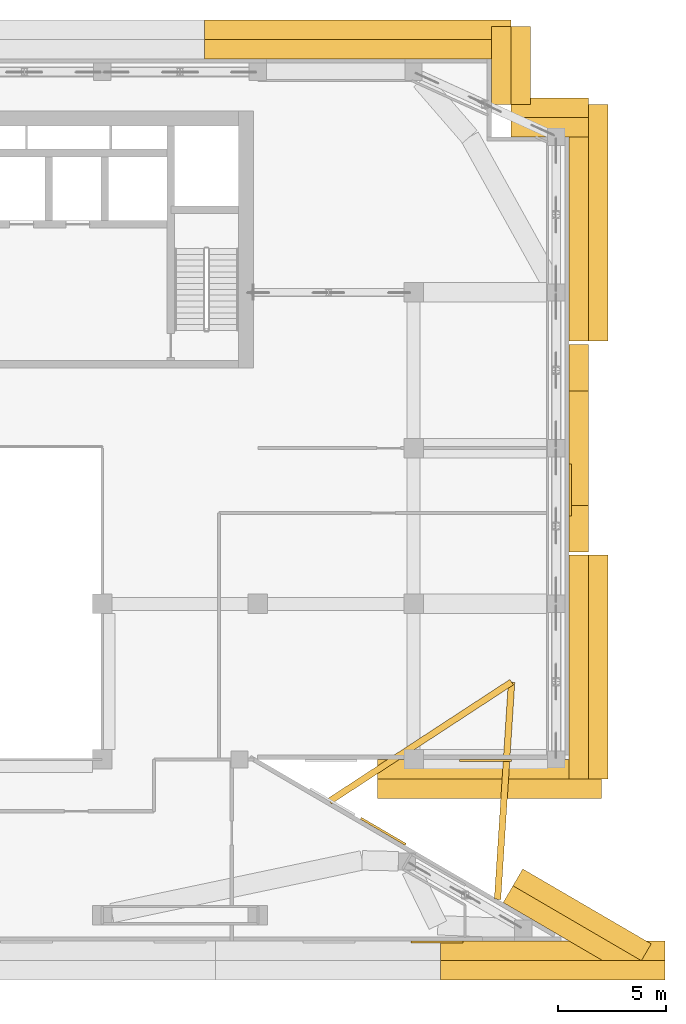
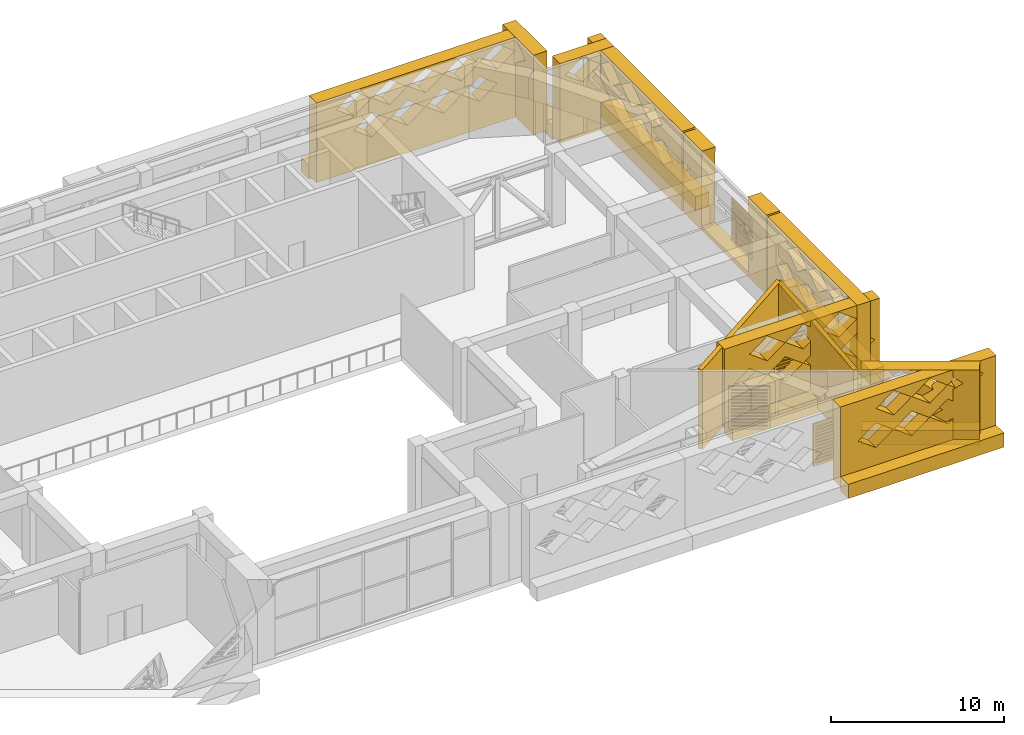
# One storey, part 20 of 20: 23 coverings.
"""IFC4 building model written with IfcOpenShell, lengths in metres."""

from ifc_helpers import new_model, si_unit, direction, frame, origin, place, context, subcontext, project, spatial, polyline, outline, extrude, material, layer, layer_set, type_object, element, save


model = new_model("IFC4")

# Units and contexts
model_context = context("Model", 3, precision=1e-05, world=origin(), true_north=direction((0.0, 1.0)))
body_context = subcontext(model_context, "Body", "Model", "MODEL_VIEW")
ifc_project = project(units=[si_unit("LENGTHUNIT", "METRE"), si_unit("AREAUNIT", "SQUARE_METRE"), si_unit("VOLUMEUNIT", "CUBIC_METRE"), si_unit("PLANEANGLEUNIT", "RADIAN"), si_unit("MASSUNIT", "GRAM", prefix="KILO")], contexts=[model_context])

# Site, building, storey
site_placement = place(None, origin())
site = spatial("IfcSite", under=ifc_project, at=site_placement, CompositionType="ELEMENT")
building_placement = place(site_placement, origin())
building = spatial("IfcBuilding", under=site, at=building_placement, Name="Saffron Iwan Residences", CompositionType="ELEMENT")
storey_placement = place(building_placement, frame((0.0, 0.0, 206.0)))
storey = spatial("IfcBuildingStorey", under=building, at=storey_placement, Name="L55", CompositionType="ELEMENT", Elevation=206.0)

# Coverings
ifc_material_1 = material(Name="Precast concrete C40/50 white painted", Category="concrete")
covering_type_1 = type_object("IfcCoveringType", Name="IWAN PANEL PRECAST WHITE", PredefinedType="CLADDING", material=ifc_material_1)
covering_1_placement = place(storey_placement, frame((86.39990234375, 57.60009765625, -0.39990234375), z_axis=(1.0, 0.0, 0.0), x_axis=(0.0, 1.0, 0.0)))
element("IfcCovering", 1, at=covering_1_placement, inside=storey, type_object=covering_type_1, Name="Iwan panel L55 F2.0", PredefinedType="CLADDING", context=body_context, shape_type="SweptSolid", body=[
    extrude(outline(polyline([(9.60009765625, 5.6201171875), (9.60009765625, 0.0), (0.0, 0.0), (0.0, 5.6201171875), (2.150390625, 5.6201171875), (2.12841796875, 5.434814453125), (2.10009765625, 4.71240234375), (2.10009765625, 0.300048828125), (7.5, 0.300048828125), (7.5, 4.71240234375), (7.4716796875, 5.434814453125), (7.44970703125, 5.6201171875), (9.60009765625, 5.6201171875)])), origin(), (0.0, 0.0, 1.0), 0.900146484375),
])
ifc_material_2 = material(Name="Precast concrete C40/50", Category="concrete")
covering_type_2 = type_object("IfcCoveringType", Name="OUTER SKIN LATTICE SCREEN", PredefinedType="CLADDING", material=ifc_material_2)
covering_2_placement = place(storey_placement, frame((89.283935546875, 37.917724609375, -0.39990234375), z_axis=(0.503803550485, 0.863818257806, 0.0), x_axis=(-0.863818257806, 0.503803550485, 0.0)))
element("IfcCovering", 2, at=covering_2_placement, inside=storey, type_object=covering_type_2, Name="OUTER SKIN lattice screen L55 F0.0", PredefinedType="CLADDING", context=body_context, shape_type="SweptSolid", body=[
    extrude(outline(polyline([(0.0, 0.0), (6.874267578125, 0.0), (6.874267578125, 5.6201171875), (0.0, 5.6201171875), (0.0, 0.0)]), holes=[polyline([(2.15869140625, 2.81005859375), (3.338623046875, 1.933349609375), (4.518798828125, 2.81005859375), (3.338623046875, 3.686767578125), (2.15869140625, 2.81005859375)]), polyline([(0.958740234375, 4.683349609375), (2.138671875, 3.806640625), (3.318603515625, 4.683349609375), (2.138671875, 5.56005859375), (0.958740234375, 4.683349609375)]), polyline([(3.358642578125, 4.683349609375), (4.538818359375, 3.806640625), (5.71875, 4.683349609375), (4.538818359375, 5.56005859375), (3.358642578125, 4.683349609375)])]), origin(), (0.0, 0.0, 1.0), 0.89990234375),
])
covering_3_placement = place(storey_placement, frame((77.538818359375, 48.0, -0.39990234375), z_axis=(0.0, -1.0, 0.0), x_axis=(1.0, 0.0, 0.0)))
element("IfcCovering", 3, at=covering_3_placement, inside=storey, type_object=covering_type_2, Name="OUTER SKIN lattice screen L55 F1.0", PredefinedType="CLADDING", context=body_context, shape_type="SweptSolid", body=[
    extrude(outline(polyline([(0.0, 0.0), (10.361328125, 0.0), (10.361328125, 5.6201171875), (0.0, 5.6201171875), (0.0, 0.0)]), holes=[polyline([(0.481201171875, 2.81005859375), (1.661376953125, 1.933349609375), (2.84130859375, 2.81005859375), (1.661376953125, 3.686767578125), (0.481201171875, 2.81005859375)]), polyline([(2.88134765625, 2.81005859375), (4.061279296875, 1.933349609375), (5.2412109375, 2.81005859375), (4.061279296875, 3.686767578125), (2.88134765625, 2.81005859375)]), polyline([(5.28125, 2.81005859375), (6.461181640625, 1.933349609375), (7.641357421875, 2.81005859375), (6.461181640625, 3.686767578125), (5.28125, 2.81005859375)]), polyline([(7.681396484375, 2.81005859375), (8.861328125, 1.933349609375), (10.041259765625, 2.81005859375), (8.861328125, 3.686767578125), (7.681396484375, 2.81005859375)]), polyline([(1.681396484375, 4.683349609375), (2.861328125, 3.806640625), (4.041259765625, 4.683349609375), (2.861328125, 5.56005859375), (1.681396484375, 4.683349609375)]), polyline([(4.081298828125, 4.683349609375), (5.26123046875, 3.806640625), (6.44140625, 4.683349609375), (5.26123046875, 5.56005859375), (4.081298828125, 4.683349609375)]), polyline([(6.481201171875, 4.683349609375), (7.661376953125, 3.806640625), (8.84130859375, 4.683349609375), (7.661376953125, 5.56005859375), (6.481201171875, 4.683349609375)])]), origin(), (0.0, 0.0, 1.0), 0.89990234375),
])
covering_4_placement = place(storey_placement, frame((86.39990234375, 47.10009765625, -0.39990234375), z_axis=(1.0, 0.0, 0.0), x_axis=(0.0, 1.0, 0.0)))
element("IfcCovering", 4, at=covering_4_placement, inside=storey, type_object=covering_type_2, Name="OUTER SKIN lattice screen L55 F2.0", PredefinedType="CLADDING", context=body_context, shape_type="SweptSolid", body=[
    extrude(outline(polyline([(0.0, 0.0), (10.35009765625, 0.0), (10.35009765625, 5.6201171875), (0.0, 5.6201171875), (0.0, 0.0)]), holes=[polyline([(2.1201171875, 2.81005859375), (3.300048828125, 1.933349609375), (4.47998046875, 2.81005859375), (3.300048828125, 3.686767578125), (2.1201171875, 2.81005859375)]), polyline([(4.52001953125, 2.81005859375), (5.699951171875, 1.933349609375), (6.8798828125, 2.81005859375), (5.699951171875, 3.686767578125), (4.52001953125, 2.81005859375)]), polyline([(6.919921875, 2.81005859375), (8.10009765625, 1.933349609375), (9.280029296875, 2.81005859375), (8.10009765625, 3.686767578125), (6.919921875, 2.81005859375)]), polyline([(0.919921875, 4.683349609375), (2.10009765625, 3.806640625), (3.280029296875, 4.683349609375), (2.10009765625, 5.56005859375), (0.919921875, 4.683349609375)]), polyline([(3.320068359375, 4.683349609375), (4.5, 3.806640625), (5.679931640625, 4.683349609375), (4.5, 5.56005859375), (3.320068359375, 4.683349609375)]), polyline([(5.719970703125, 4.683349609375), (6.89990234375, 3.806640625), (8.080078125, 4.683349609375), (6.89990234375, 5.56005859375), (5.719970703125, 4.683349609375)])]), origin(), (0.0, 0.0, 1.0), 0.900146484375),
])
covering_5_placement = place(storey_placement, frame((86.39990234375, 67.35009765625, -0.39990234375), z_axis=(1.0, 0.0, 0.0), x_axis=(0.0, 1.0, 0.0)))
element("IfcCovering", 5, at=covering_5_placement, inside=storey, type_object=covering_type_2, Name="OUTER SKIN lattice screen L55 F2.1", PredefinedType="CLADDING", context=body_context, shape_type="SweptSolid", body=[
    extrude(outline(polyline([(0.0, 0.0), (10.949951171875, 0.0), (10.949951171875, 5.6201171875), (0.0, 5.6201171875), (0.0, 0.0)]), holes=[polyline([(1.070068359375, 2.81005859375), (2.25, 1.933349609375), (3.429931640625, 2.81005859375), (2.25, 3.686767578125), (1.070068359375, 2.81005859375)]), polyline([(3.469970703125, 2.81005859375), (4.64990234375, 1.933349609375), (5.830078125, 2.81005859375), (4.64990234375, 3.686767578125), (3.469970703125, 2.81005859375)]), polyline([(5.8701171875, 2.81005859375), (7.050048828125, 1.933349609375), (8.22998046875, 2.81005859375), (7.050048828125, 3.686767578125), (5.8701171875, 2.81005859375)]), polyline([(8.27001953125, 2.81005859375), (9.449951171875, 1.933349609375), (10.6298828125, 2.81005859375), (9.449951171875, 3.686767578125), (8.27001953125, 2.81005859375)]), polyline([(2.27001953125, 4.683349609375), (3.449951171875, 3.806640625), (4.6298828125, 4.683349609375), (3.449951171875, 5.56005859375), (2.27001953125, 4.683349609375)]), polyline([(4.669921875, 4.683349609375), (5.85009765625, 3.806640625), (7.030029296875, 4.683349609375), (5.85009765625, 5.56005859375), (4.669921875, 4.683349609375)]), polyline([(7.070068359375, 4.683349609375), (8.25, 3.806640625), (9.429931640625, 4.683349609375), (8.25, 5.56005859375), (7.070068359375, 4.683349609375)])]), origin(), (0.0, 0.0, 1.0), 0.900146484375),
])
for number, where, z_axis, x_axis, name in (
    (6, (87.300048828125, 76.800048828125, -0.39990234375), (0.0, 1.0, 0.0), (-1.0, 0.0, 0.0), "OUTER SKIN lattice screen L55 F3.0"),
    (7, (82.800048828125, 78.300048828125, -0.39990234375), (1.0, 0.0, 0.0), (0.0, 1.0, 0.0), "OUTER SKIN lattice screen L55 F4.0"),
):
    element("IfcCovering", number, at=place(storey_placement, frame(where, z_axis=z_axis, x_axis=x_axis)), inside=storey, type_object=covering_type_2, Name=name, PredefinedType="CLADDING", context=body_context, shape_type="SweptSolid", body=[
        extrude(outline(polyline([(0.0, 0.0), (3.60009765625, 0.0), (3.60009765625, 5.6201171875), (0.0, 5.6201171875), (0.0, 0.0)]), holes=[polyline([(0.919921875, 4.683349609375), (2.10009765625, 3.806640625), (3.280029296875, 4.683349609375), (2.10009765625, 5.56005859375), (0.919921875, 4.683349609375)])]), origin(), (0.0, 0.0, 1.0), 0.89990234375),
    ])
covering_6_placement = place(storey_placement, frame((83.699951171875, 80.39990234375, -0.39990234375), z_axis=(0.0, 1.0, 0.0), x_axis=(-1.0, 0.0, 0.0)))
element("IfcCovering", 8, at=covering_6_placement, inside=storey, type_object=covering_type_2, Name="OUTER SKIN lattice screen L55 F5.0", PredefinedType="CLADDING", context=body_context, shape_type="SweptSolid", body=[
    extrude(outline(polyline([(0.0, 0.0), (14.175048828125, 0.0), (14.175048828125, 5.6201171875), (0.0, 5.6201171875), (0.0, 0.0)]), holes=[polyline([(2.1201171875, 2.81005859375), (3.300048828125, 1.933349609375), (4.47998046875, 2.81005859375), (3.300048828125, 3.686767578125), (2.1201171875, 2.81005859375)]), polyline([(4.52001953125, 2.81005859375), (5.699951171875, 1.933349609375), (6.8798828125, 2.81005859375), (5.699951171875, 3.686767578125), (4.52001953125, 2.81005859375)]), polyline([(6.919921875, 2.81005859375), (8.10009765625, 1.933349609375), (9.280029296875, 2.81005859375), (8.10009765625, 3.686767578125), (6.919921875, 2.81005859375)]), polyline([(9.320068359375, 2.81005859375), (10.5, 1.933349609375), (11.679931640625, 2.81005859375), (10.5, 3.686767578125), (9.320068359375, 2.81005859375)]), polyline([(0.919921875, 4.683349609375), (2.10009765625, 3.806640625), (3.280029296875, 4.683349609375), (2.10009765625, 5.56005859375), (0.919921875, 4.683349609375)]), polyline([(3.320068359375, 4.683349609375), (4.5, 3.806640625), (5.679931640625, 4.683349609375), (4.5, 5.56005859375), (3.320068359375, 4.683349609375)]), polyline([(5.719970703125, 4.683349609375), (6.89990234375, 3.806640625), (8.080078125, 4.683349609375), (6.89990234375, 5.56005859375), (5.719970703125, 4.683349609375)]), polyline([(8.1201171875, 4.683349609375), (9.300048828125, 3.806640625), (10.47998046875, 4.683349609375), (9.300048828125, 5.56005859375), (8.1201171875, 4.683349609375)]), polyline([(10.52001953125, 4.683349609375), (11.699951171875, 3.806640625), (12.8798828125, 4.683349609375), (11.699951171875, 5.56005859375), (10.52001953125, 4.683349609375)])]), origin(), (0.0, 0.0, 1.0), 0.900146484375),
])
covering_7_placement = place(storey_placement, frame((80.4423828125, 39.60009765625, -0.39990234375), z_axis=(0.0, -1.0, 0.0), x_axis=(1.0, 0.0, 0.0)))
element("IfcCovering", 9, at=covering_7_placement, inside=storey, type_object=covering_type_2, Name="OUTER SKIN lattice screen L55 F11.4", PredefinedType="CLADDING", context=body_context, shape_type="SweptSolid", body=[
    extrude(outline(polyline([(0.0, 0.0), (10.396240234375, 0.0), (10.396240234375, 5.6201171875), (0.0, 5.6201171875), (0.0, 0.0)]), holes=[polyline([(1.177490234375, 2.81005859375), (2.357421875, 1.933349609375), (3.53759765625, 2.81005859375), (2.357421875, 3.686767578125), (1.177490234375, 2.81005859375)]), polyline([(3.577392578125, 2.81005859375), (4.757568359375, 1.933349609375), (5.9375, 2.81005859375), (4.757568359375, 3.686767578125), (3.577392578125, 2.81005859375)]), polyline([(5.9775390625, 2.81005859375), (7.157470703125, 1.933349609375), (8.33740234375, 2.81005859375), (7.157470703125, 3.686767578125), (5.9775390625, 2.81005859375)]), polyline([(2.37744140625, 4.683349609375), (3.5576171875, 3.806640625), (4.737548828125, 4.683349609375), (3.5576171875, 5.56005859375), (2.37744140625, 4.683349609375)]), polyline([(4.777587890625, 4.683349609375), (5.95751953125, 3.806640625), (7.137451171875, 4.683349609375), (5.95751953125, 5.56005859375), (4.777587890625, 4.683349609375)]), polyline([(7.177490234375, 4.683349609375), (8.357421875, 3.806640625), (9.53759765625, 4.683349609375), (8.357421875, 5.56005859375), (7.177490234375, 4.683349609375)])]), origin(), (0.0, 0.0, 1.0), 0.900146484375),
])
ifc_material_3 = material(Name="Aluminium 6063-T6 louvre", Category="aluminium")
covering_type_3 = type_object("IfcCoveringType", Name="PLANT LOUVRE PANEL 2400 x 3000", PredefinedType="CLADDING", material=ifc_material_3)
covering_8_placement = place(storey_placement, frame((78.811279296875, 44.026611328125, 1.0), z_axis=(0.504780465321, 0.863247752288, 0.0), x_axis=(-0.863247752288, 0.504780465321, 0.0)))
element("IfcCovering", 10, at=covering_8_placement, inside=storey, type_object=covering_type_3, Name="Plant louvre L55 F0.0", PredefinedType="CLADDING", context=body_context, shape_type="SweptSolid", body=[
    extrude(outline(polyline([(0.0, 0.0), (2.39990234375, 0.0), (2.39990234375, 3.0), (0.0, 3.0), (0.0, 0.0)]), holes=[polyline([(0.14990234375, 0.199951171875), (2.25, 0.199951171875), (2.25, 0.2900390625), (0.14990234375, 0.2900390625), (0.14990234375, 0.199951171875)]), polyline([(0.14990234375, 0.429931640625), (2.25, 0.429931640625), (2.25, 0.52001953125), (0.14990234375, 0.52001953125), (0.14990234375, 0.429931640625)]), polyline([(0.14990234375, 0.659912109375), (2.25, 0.659912109375), (2.25, 0.75), (0.14990234375, 0.75), (0.14990234375, 0.659912109375)]), polyline([(0.14990234375, 0.889892578125), (2.25, 0.889892578125), (2.25, 0.97998046875), (0.14990234375, 0.97998046875), (0.14990234375, 0.889892578125)]), polyline([(0.14990234375, 1.1201171875), (2.25, 1.1201171875), (2.25, 1.2099609375), (0.14990234375, 1.2099609375), (0.14990234375, 1.1201171875)]), polyline([(0.14990234375, 1.35009765625), (2.25, 1.35009765625), (2.25, 1.43994140625), (0.14990234375, 1.43994140625), (0.14990234375, 1.35009765625)]), polyline([(0.14990234375, 1.580078125), (2.25, 1.580078125), (2.25, 1.669921875), (0.14990234375, 1.669921875), (0.14990234375, 1.580078125)]), polyline([(0.14990234375, 1.81005859375), (2.25, 1.81005859375), (2.25, 1.89990234375), (0.14990234375, 1.89990234375), (0.14990234375, 1.81005859375)]), polyline([(0.14990234375, 2.0400390625), (2.25, 2.0400390625), (2.25, 2.1298828125), (0.14990234375, 2.1298828125), (0.14990234375, 2.0400390625)]), polyline([(0.14990234375, 2.27001953125), (2.25, 2.27001953125), (2.25, 2.360107421875), (0.14990234375, 2.360107421875), (0.14990234375, 2.27001953125)]), polyline([(0.14990234375, 2.5), (2.25, 2.5), (2.25, 2.590087890625), (0.14990234375, 2.590087890625), (0.14990234375, 2.5)]), polyline([(0.14990234375, 2.72998046875), (2.25, 2.72998046875), (2.25, 2.820068359375), (0.14990234375, 2.820068359375), (0.14990234375, 2.72998046875)])]), origin(), (0.0, 0.0, 1.0), 0.10009765625),
])
covering_9_placement = place(storey_placement, frame((81.324951171875, 48.0, 1.0), z_axis=(0.0, -1.0, 0.0), x_axis=(1.0, 0.0, 0.0)))
element("IfcCovering", 11, at=covering_9_placement, inside=storey, type_object=covering_type_3, Name="Plant louvre L55 F1.0", PredefinedType="CLADDING", context=body_context, shape_type="SweptSolid", body=[
    extrude(outline(polyline([(0.0, 0.0), (2.39990234375, 0.0), (2.39990234375, 3.0), (0.0, 3.0), (0.0, 0.0)]), holes=[polyline([(0.14990234375, 0.199951171875), (2.25, 0.199951171875), (2.25, 0.2900390625), (0.14990234375, 0.2900390625), (0.14990234375, 0.199951171875)]), polyline([(0.14990234375, 0.429931640625), (2.25, 0.429931640625), (2.25, 0.52001953125), (0.14990234375, 0.52001953125), (0.14990234375, 0.429931640625)]), polyline([(0.14990234375, 0.659912109375), (2.25, 0.659912109375), (2.25, 0.75), (0.14990234375, 0.75), (0.14990234375, 0.659912109375)]), polyline([(0.14990234375, 0.889892578125), (2.25, 0.889892578125), (2.25, 0.97998046875), (0.14990234375, 0.97998046875), (0.14990234375, 0.889892578125)]), polyline([(0.14990234375, 1.1201171875), (2.25, 1.1201171875), (2.25, 1.2099609375), (0.14990234375, 1.2099609375), (0.14990234375, 1.1201171875)]), polyline([(0.14990234375, 1.35009765625), (2.25, 1.35009765625), (2.25, 1.43994140625), (0.14990234375, 1.43994140625), (0.14990234375, 1.35009765625)]), polyline([(0.14990234375, 1.580078125), (2.25, 1.580078125), (2.25, 1.669921875), (0.14990234375, 1.669921875), (0.14990234375, 1.580078125)]), polyline([(0.14990234375, 1.81005859375), (2.25, 1.81005859375), (2.25, 1.89990234375), (0.14990234375, 1.89990234375), (0.14990234375, 1.81005859375)]), polyline([(0.14990234375, 2.0400390625), (2.25, 2.0400390625), (2.25, 2.1298828125), (0.14990234375, 2.1298828125), (0.14990234375, 2.0400390625)]), polyline([(0.14990234375, 2.27001953125), (2.25, 2.27001953125), (2.25, 2.360107421875), (0.14990234375, 2.360107421875), (0.14990234375, 2.27001953125)]), polyline([(0.14990234375, 2.5), (2.25, 2.5), (2.25, 2.590087890625), (0.14990234375, 2.590087890625), (0.14990234375, 2.5)]), polyline([(0.14990234375, 2.72998046875), (2.25, 2.72998046875), (2.25, 2.820068359375), (0.14990234375, 2.820068359375), (0.14990234375, 2.72998046875)])]), origin(), (0.0, 0.0, 1.0), 0.10009765625),
])
covering_10_placement = place(storey_placement, frame((86.39990234375, 59.27099609375, 1.0), z_axis=(1.0, 0.0, 0.0), x_axis=(0.0, 1.0, 0.0)))
element("IfcCovering", 12, at=covering_10_placement, inside=storey, type_object=covering_type_3, Name="Plant louvre L55 F2.0", PredefinedType="CLADDING", context=body_context, shape_type="SweptSolid", body=[
    extrude(outline(polyline([(0.0, 0.0), (2.39990234375, 0.0), (2.39990234375, 3.0), (0.0, 3.0), (0.0, 0.0)]), holes=[polyline([(0.14990234375, 0.199951171875), (2.25, 0.199951171875), (2.25, 0.2900390625), (0.14990234375, 0.2900390625), (0.14990234375, 0.199951171875)]), polyline([(0.14990234375, 0.429931640625), (2.25, 0.429931640625), (2.25, 0.52001953125), (0.14990234375, 0.52001953125), (0.14990234375, 0.429931640625)]), polyline([(0.14990234375, 0.659912109375), (2.25, 0.659912109375), (2.25, 0.75), (0.14990234375, 0.75), (0.14990234375, 0.659912109375)]), polyline([(0.14990234375, 0.889892578125), (2.25, 0.889892578125), (2.25, 0.97998046875), (0.14990234375, 0.97998046875), (0.14990234375, 0.889892578125)]), polyline([(0.14990234375, 1.1201171875), (2.25, 1.1201171875), (2.25, 1.2099609375), (0.14990234375, 1.2099609375), (0.14990234375, 1.1201171875)]), polyline([(0.14990234375, 1.35009765625), (2.25, 1.35009765625), (2.25, 1.43994140625), (0.14990234375, 1.43994140625), (0.14990234375, 1.35009765625)]), polyline([(0.14990234375, 1.580078125), (2.25, 1.580078125), (2.25, 1.669921875), (0.14990234375, 1.669921875), (0.14990234375, 1.580078125)]), polyline([(0.14990234375, 1.81005859375), (2.25, 1.81005859375), (2.25, 1.89990234375), (0.14990234375, 1.89990234375), (0.14990234375, 1.81005859375)]), polyline([(0.14990234375, 2.0400390625), (2.25, 2.0400390625), (2.25, 2.1298828125), (0.14990234375, 2.1298828125), (0.14990234375, 2.0400390625)]), polyline([(0.14990234375, 2.27001953125), (2.25, 2.27001953125), (2.25, 2.360107421875), (0.14990234375, 2.360107421875), (0.14990234375, 2.27001953125)]), polyline([(0.14990234375, 2.5), (2.25, 2.5), (2.25, 2.590087890625), (0.14990234375, 2.590087890625), (0.14990234375, 2.5)]), polyline([(0.14990234375, 2.72998046875), (2.25, 2.72998046875), (2.25, 2.820068359375), (0.14990234375, 2.820068359375), (0.14990234375, 2.72998046875)])]), origin(), (0.0, 0.0, 1.0), 0.10009765625),
])
covering_11_placement = place(storey_placement, frame((79.0869140625, 39.60009765625, 1.0), z_axis=(0.0, -1.0, 0.0), x_axis=(1.0, 0.0, 0.0)))
element("IfcCovering", 13, at=covering_11_placement, inside=storey, type_object=covering_type_3, Name="Plant louvre L55 F11.3", PredefinedType="CLADDING", context=body_context, shape_type="SweptSolid", body=[
    extrude(outline(polyline([(0.0, 0.0), (2.39990234375, 0.0), (2.39990234375, 3.0), (0.0, 3.0), (0.0, 0.0)]), holes=[polyline([(0.14990234375, 0.199951171875), (2.25, 0.199951171875), (2.25, 0.2900390625), (0.14990234375, 0.2900390625), (0.14990234375, 0.199951171875)]), polyline([(0.14990234375, 0.429931640625), (2.25, 0.429931640625), (2.25, 0.52001953125), (0.14990234375, 0.52001953125), (0.14990234375, 0.429931640625)]), polyline([(0.14990234375, 0.659912109375), (2.25, 0.659912109375), (2.25, 0.75), (0.14990234375, 0.75), (0.14990234375, 0.659912109375)]), polyline([(0.14990234375, 0.889892578125), (2.25, 0.889892578125), (2.25, 0.97998046875), (0.14990234375, 0.97998046875), (0.14990234375, 0.889892578125)]), polyline([(0.14990234375, 1.1201171875), (2.25, 1.1201171875), (2.25, 1.2099609375), (0.14990234375, 1.2099609375), (0.14990234375, 1.1201171875)]), polyline([(0.14990234375, 1.35009765625), (2.25, 1.35009765625), (2.25, 1.43994140625), (0.14990234375, 1.43994140625), (0.14990234375, 1.35009765625)]), polyline([(0.14990234375, 1.580078125), (2.25, 1.580078125), (2.25, 1.669921875), (0.14990234375, 1.669921875), (0.14990234375, 1.580078125)]), polyline([(0.14990234375, 1.81005859375), (2.25, 1.81005859375), (2.25, 1.89990234375), (0.14990234375, 1.89990234375), (0.14990234375, 1.81005859375)]), polyline([(0.14990234375, 2.0400390625), (2.25, 2.0400390625), (2.25, 2.1298828125), (0.14990234375, 2.1298828125), (0.14990234375, 2.0400390625)]), polyline([(0.14990234375, 2.27001953125), (2.25, 2.27001953125), (2.25, 2.360107421875), (0.14990234375, 2.360107421875), (0.14990234375, 2.27001953125)]), polyline([(0.14990234375, 2.5), (2.25, 2.5), (2.25, 2.590087890625), (0.14990234375, 2.590087890625), (0.14990234375, 2.5)]), polyline([(0.14990234375, 2.72998046875), (2.25, 2.72998046875), (2.25, 2.820068359375), (0.14990234375, 2.820068359375), (0.14990234375, 2.72998046875)])]), origin(), (0.0, 0.0, 1.0), 0.10009765625),
])
ifc_layer_1 = layer(ifc_material_1, 0.300048828125)
ifc_layer_set_1 = layer_set([ifc_layer_1], Name="Precast concrete C40/50 white painted")
covering_type_4 = type_object("IfcCoveringType", Name="PROW NOSE BLADE PRECAST WHITE", PredefinedType="CLADDING", material=ifc_layer_set_1)
covering_12_placement = place(storey_placement, frame((0.0, 0.0, -0.39990234375)))
element("IfcCovering", 14, at=covering_12_placement, inside=storey, type_object=covering_type_4, Name="Prow nose blade L55 a", PredefinedType="CLADDING", context=body_context, shape_type="SweptSolid", body=[
    extrude(outline(polyline([(83.23681640625, 41.52294921875), (83.884521484375, 51.564453125), (83.585205078125, 51.583740234375), (82.937255859375, 41.542236328125), (83.23681640625, 41.52294921875)])), origin(), (0.0, 0.0, 1.0), 5.619873046875),
])
covering_13_placement = place(storey_placement, frame((0.0, 0.0, -0.39990234375)))
element("IfcCovering", 15, at=covering_13_placement, inside=storey, type_object=covering_type_4, Name="Prow nose blade L55 b", PredefinedType="CLADDING", context=body_context, shape_type="SweptSolid", body=[
    extrude(outline(polyline([(75.39501953125, 45.94189453125), (83.81689453125, 51.448486328125), (83.65283203125, 51.69970703125), (75.23095703125, 46.193115234375), (75.39501953125, 45.94189453125)])), origin(), (0.0, 0.0, 1.0), 5.619873046875),
])
ifc_layer_2 = layer(ifc_material_1, 0.89990234375)
ifc_layer_set_2 = layer_set([ifc_layer_2], Name="Precast concrete C40/50 white painted")
covering_type_5 = type_object("IfcCoveringType", Name="WHITE EDGE BAND 900 x 1000", PredefinedType="CLADDING", material=ifc_layer_set_2)
covering_14_placement = place(storey_placement, frame((0.0, 0.0, -0.699951171875)))
element("IfcCovering", 16, at=covering_14_placement, inside=storey, type_object=covering_type_5, Name="White edge band L55 F0.0", PredefinedType="CLADDING", context=body_context, shape_type="SweptSolid", body=[
    extrude(outline(polyline([(90.19091796875, 39.472412109375), (84.253173828125, 42.936279296875), (83.799560546875, 42.15869140625), (89.7373046875, 38.695068359375), (90.19091796875, 39.472412109375)])), origin(), (0.0, 0.0, 1.0), 1.0),
])
covering_15_placement = place(storey_placement, frame((0.0, 0.0, -0.699951171875)))
element("IfcCovering", 17, at=covering_15_placement, inside=storey, type_object=covering_type_5, Name="White edge band L55 F1.0", PredefinedType="CLADDING", context=body_context, shape_type="SweptSolid", body=[
    extrude(outline(polyline([(77.538818359375, 46.199951171875), (87.89990234375, 46.199951171875), (87.89990234375, 47.10009765625), (77.538818359375, 47.10009765625), (77.538818359375, 46.199951171875)])), origin(), (0.0, 0.0, 1.0), 1.0),
])
covering_16_placement = place(storey_placement, frame((0.0, 0.0, -0.699951171875)))
element("IfcCovering", 18, at=covering_16_placement, inside=storey, type_object=covering_type_5, Name="White edge band L55 F2.0", PredefinedType="CLADDING", context=body_context, shape_type="SweptSolid", body=[
    extrude(outline(polyline([(88.199951171875, 47.10009765625), (88.199951171875, 57.449951171875), (87.300048828125, 57.449951171875), (87.300048828125, 47.10009765625), (88.199951171875, 47.10009765625)])), origin(), (0.0, 0.0, 1.0), 1.0),
])
covering_17_placement = place(storey_placement, frame((0.0, 0.0, -0.699951171875)))
element("IfcCovering", 19, at=covering_17_placement, inside=storey, type_object=covering_type_5, Name="White edge band L55 F2.1", PredefinedType="CLADDING", context=body_context, shape_type="SweptSolid", body=[
    extrude(outline(polyline([(88.199951171875, 67.35009765625), (88.199951171875, 78.300048828125), (87.300048828125, 78.300048828125), (87.300048828125, 67.35009765625), (88.199951171875, 67.35009765625)])), origin(), (0.0, 0.0, 1.0), 1.0),
])
covering_18_placement = place(storey_placement, frame((0.0, 0.0, -0.699951171875)))
element("IfcCovering", 20, at=covering_18_placement, inside=storey, type_object=covering_type_5, Name="White edge band L55 F3.0", PredefinedType="CLADDING", context=body_context, shape_type="SweptSolid", body=[
    extrude(outline(polyline([(87.300048828125, 78.60009765625), (83.699951171875, 78.60009765625), (83.699951171875, 77.699951171875), (87.300048828125, 77.699951171875), (87.300048828125, 78.60009765625)])), origin(), (0.0, 0.0, 1.0), 1.0),
])
covering_19_placement = place(storey_placement, frame((0.0, 0.0, -0.699951171875)))
element("IfcCovering", 21, at=covering_19_placement, inside=storey, type_object=covering_type_5, Name="White edge band L55 F4.0", PredefinedType="CLADDING", context=body_context, shape_type="SweptSolid", body=[
    extrude(outline(polyline([(84.60009765625, 78.300048828125), (84.60009765625, 81.89990234375), (83.699951171875, 81.89990234375), (83.699951171875, 78.300048828125), (84.60009765625, 78.300048828125)])), origin(), (0.0, 0.0, 1.0), 1.0),
])
covering_20_placement = place(storey_placement, frame((0.0, 0.0, -0.699951171875)))
element("IfcCovering", 22, at=covering_20_placement, inside=storey, type_object=covering_type_5, Name="White edge band L55 F5.0", PredefinedType="CLADDING", context=body_context, shape_type="SweptSolid", body=[
    extrude(outline(polyline([(83.699951171875, 82.199951171875), (69.52490234375, 82.199951171875), (69.52490234375, 81.300048828125), (83.699951171875, 81.300048828125), (83.699951171875, 82.199951171875)])), origin(), (0.0, 0.0, 1.0), 1.0),
])
covering_21_placement = place(storey_placement, frame((0.0, 0.0, -0.699951171875)))
element("IfcCovering", 23, at=covering_21_placement, inside=storey, type_object=covering_type_5, Name="White edge band L55 F11.4", PredefinedType="CLADDING", context=body_context, shape_type="SweptSolid", body=[
    extrude(outline(polyline([(80.4423828125, 37.800048828125), (90.838623046875, 37.800048828125), (90.838623046875, 38.699951171875), (80.4423828125, 38.699951171875), (80.4423828125, 37.800048828125)])), origin(), (0.0, 0.0, 1.0), 1.0),
])

save(model, "model.ifc")
